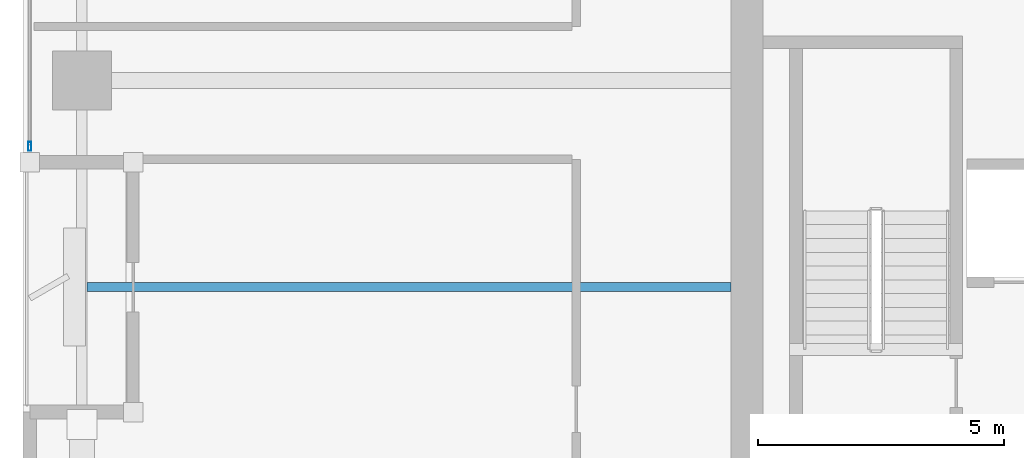
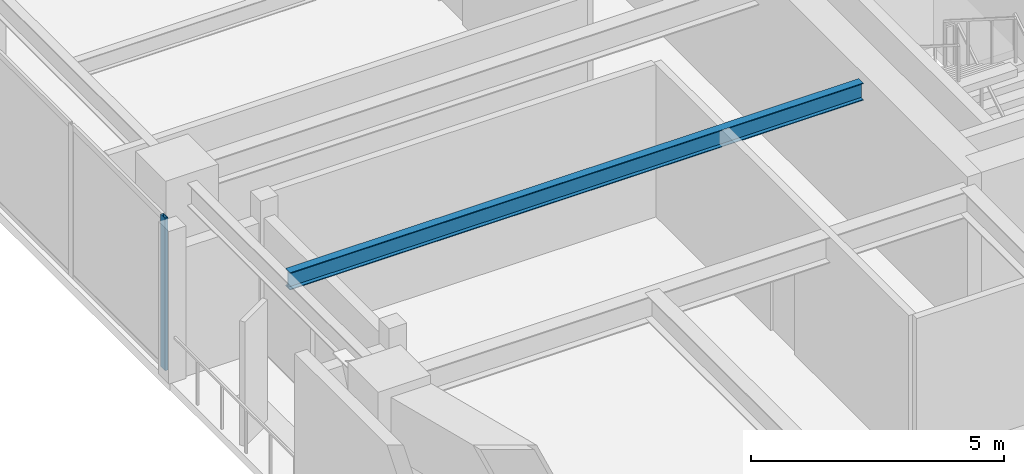
# One storey, part 2 of 30: 1 beam, 1 member, 1 element without a shape of its own.
"""IFC4 building model written with IfcOpenShell, lengths in metres."""

from ifc_helpers import new_model, si_unit, direction, frame, origin, origin_2d, place, context, subcontext, project, spatial, hollow_rectangle, i_section, extrude, material, layer, layer_set, material_profile, profile_set, type_object, element, aggregate, save


model = new_model("IFC4")

# Units and contexts
model_context = context("Model", 3, precision=1e-05, world=origin(), true_north=direction((0.0, 1.0)))
body_context = subcontext(model_context, "Body", "Model", "MODEL_VIEW")
ifc_project = project(units=[si_unit("LENGTHUNIT", "METRE"), si_unit("AREAUNIT", "SQUARE_METRE"), si_unit("VOLUMEUNIT", "CUBIC_METRE"), si_unit("PLANEANGLEUNIT", "RADIAN"), si_unit("MASSUNIT", "GRAM", prefix="KILO")], contexts=[model_context])

# Site, building, storey
site_placement = place(None, origin())
site = spatial("IfcSite", under=ifc_project, at=site_placement, CompositionType="ELEMENT")
building_placement = place(site_placement, origin())
building = spatial("IfcBuilding", under=site, at=building_placement, Name="Kiyonajd Concourse Tower", CompositionType="ELEMENT")
storey_placement = place(building_placement, frame((0.0, 0.0, 198.0)))
storey = spatial("IfcBuildingStorey", under=building, at=storey_placement, Name="L50", CompositionType="ELEMENT", Elevation=198.0)

# Beam
ifc_material_1 = material(Name="Steel ASTM A992 Grade 50", Category="steel")
ifc_material_profile_1 = material_profile(ifc_material_1, i_section(OverallWidth=0.180908203125, OverallDepth=0.4169921875, WebThickness=0.010986328125, FlangeThickness=0.018310546875, at=origin_2d()), Name="W410X85")
ifc_profile_set_1 = profile_set([ifc_material_profile_1], Name="Steel ASTM A992 Grade 50")
beam_type = type_object("IfcBeamType", Name="BM-JST-410", PredefinedType="JOIST", material=ifc_profile_set_1)
beam_placement = place(storey_placement, frame((19.306884765625, 31.800048828125, 3.471435546875), z_axis=(1.0, 0.0, 0.0), x_axis=(0.0, 1.0, 0.0)))
element("IfcBeam", 1, at=beam_placement, inside=storey, type_object=beam_type, Name="L50 West Secondary Floor Joist", PredefinedType="JOIST", context=body_context, shape_type="SweptSolid", body=[
    extrude(i_section(OverallWidth=0.180908203125, OverallDepth=0.4169921875, WebThickness=0.010986328125, FlangeThickness=0.018310546875, at=origin_2d()), origin(), (0.0, 0.0, 1.0), 13.093017578125),
])

# Curtain wall, member
ifc_material_2 = material(Name="Thermally Broken Anodised Aluminium", Category="aluminium")
ifc_layer = layer(ifc_material_2, 0.179931640625)
ifc_layer_set = layer_set([ifc_layer], Name="Thermally Broken Anodised Aluminium")
curtain_wall_type = type_object("IfcCurtainWallType", Name="CW-SYS-03", PredefinedType="NOTDEFINED", material=ifc_layer_set)
curtain_wall_placement = place(storey_placement, origin())
curtain_wall = element("IfcCurtainWall", 2, at=curtain_wall_placement, inside=storey, type_object=curtain_wall_type, Name="L50 Unitised Curtain Wall CW3", PredefinedType="NOTDEFINED")
ifc_material_profile_2 = material_profile(ifc_material_2, hollow_rectangle(XDim=0.06494140625, YDim=0.179931640625, WallThickness=0.00390625, at=origin_2d()), Name="MULL-65x180")
ifc_profile_set_2 = profile_set([ifc_material_profile_2], Name="Thermally Broken Anodised Aluminium")
member_type = type_object("IfcMemberType", Name="MB-CW-MULL1", PredefinedType="MULLION", material=ifc_profile_set_2)
member_placement = place(storey_placement, frame((18.139892578125, 34.66259765625, 0.0), z_axis=(0.0, 0.0, 1.0), x_axis=(-1.0, 0.0, 0.0)))
member = element("IfcMember", 3, at=member_placement, type_object=member_type, Name="CW3 mullion 1", PredefinedType="MULLION", context=body_context, shape_type="SweptSolid", body=[
    extrude(hollow_rectangle(XDim=0.06494140625, YDim=0.179931640625, WallThickness=0.00390625, at=origin_2d()), origin(), (0.0, 0.0, 1.0), 3.679931640625),
])
aggregate(curtain_wall, [member])

save(model, "model.ifc")
